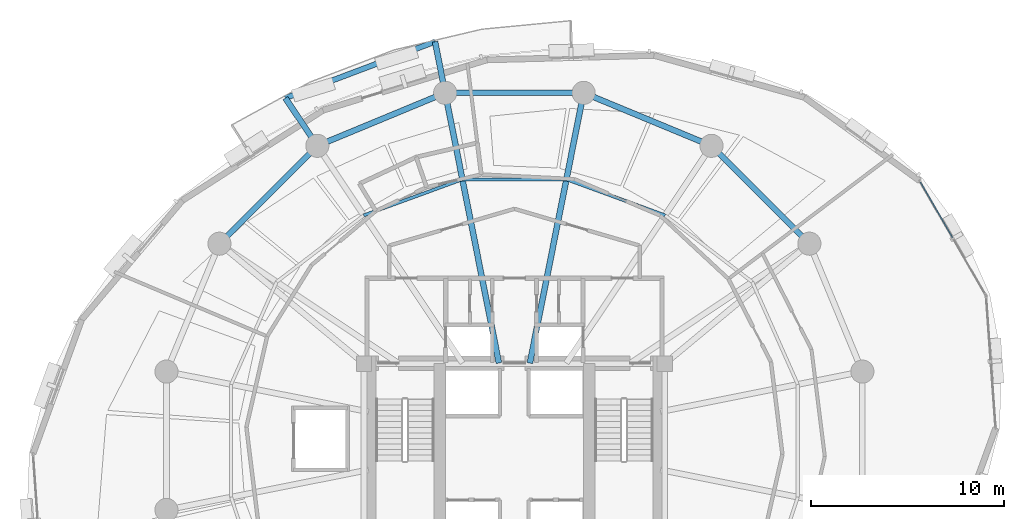
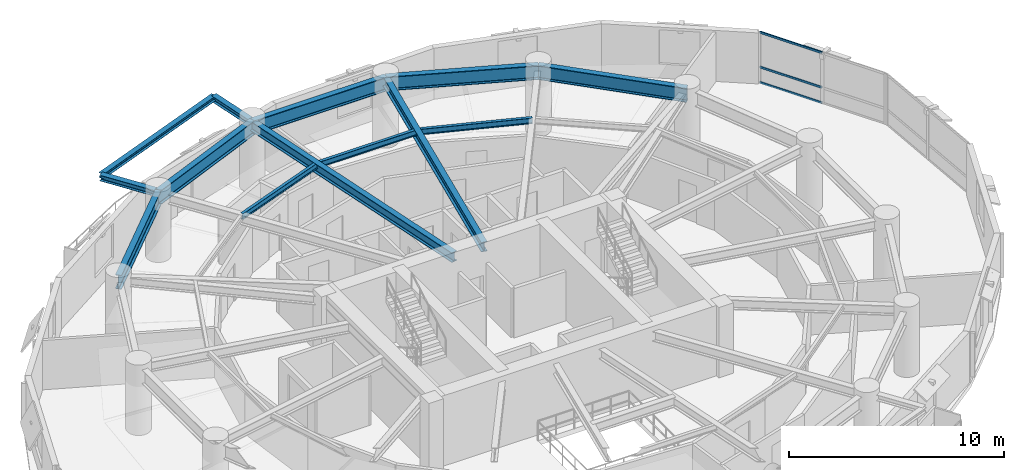
# One storey, part 7 of 15: 13 beams, 3 members, 1 element without a shape of its own.
"""IFC4 building model written with IfcOpenShell, lengths in metres."""

from ifc_helpers import new_model, si_unit, direction, frame, origin, origin_2d, place, context, subcontext, project, spatial, hollow_rectangle, i_section, extrude, material, layer, layer_set, material_profile, profile_set, type_object, element, aggregate, save


model = new_model("IFC4")

# Units and contexts
model_context = context("Model", 3, precision=1e-05, world=origin(), true_north=direction((0.0, 1.0)))
body_context = subcontext(model_context, "Body", "Model", "MODEL_VIEW")
ifc_project = project(units=[si_unit("LENGTHUNIT", "METRE"), si_unit("AREAUNIT", "SQUARE_METRE"), si_unit("VOLUMEUNIT", "CUBIC_METRE"), si_unit("PLANEANGLEUNIT", "RADIAN"), si_unit("MASSUNIT", "GRAM", prefix="KILO"), si_unit("THERMODYNAMICTEMPERATUREUNIT", "KELVIN"), si_unit("POWERUNIT", "WATT")], contexts=[model_context])

# Site, building, storey
site_placement = place(None, origin())
site = spatial("IfcSite", under=ifc_project, at=site_placement, CompositionType="ELEMENT")
building_placement = place(site_placement, origin())
building = spatial("IfcBuilding", under=site, at=building_placement, Name="Ocrelia Relay Tower", CompositionType="ELEMENT")
storey_placement = place(building_placement, frame((0.0, 0.0, 105.800048828125)))
storey = spatial("IfcBuildingStorey", under=building, at=storey_placement, Name="L24", CompositionType="ELEMENT", Elevation=105.800048828125)

# Beams
ifc_material_1 = material(Name="Steel S355", Category="steel")
ifc_material_profile_1 = material_profile(ifc_material_1, i_section(OverallWidth=0.280029296875, OverallDepth=0.27001953125, WebThickness=0.008056640625, FlangeThickness=0.012939453125, FilletRadius=0.02392578125, at=origin_2d()), Name="HEA 280")
ifc_profile_set_1 = profile_set([ifc_material_profile_1], Name="Steel S355")
beam_type_1 = type_object("IfcBeamType", Name="BM-HEA280", PredefinedType="BEAM", material=ifc_profile_set_1)
beam_1_placement = place(storey_placement, frame((29.8828125, 46.6982421875, 3.5849609375), z_axis=(-0.935736159667, -0.352700778977, 0.0), x_axis=(0.352700778977, -0.935736159667, 0.0)))
element("IfcBeam", 1, at=beam_1_placement, inside=storey, type_object=beam_type_1, Name="L25 Balcony Edge Trimmer Beam B1", PredefinedType="BEAM", context=body_context, shape_type="SweptSolid", body=[
    extrude(i_section(OverallWidth=0.280029296875, OverallDepth=0.27001953125, WebThickness=0.008056640625, FlangeThickness=0.012939453125, FilletRadius=0.02392578125, at=origin_2d()), origin(), (0.0, 0.0, 1.0), 8.2919921875),
])
ifc_material_profile_2 = material_profile(ifc_material_1, i_section(OverallWidth=0.300048828125, OverallDepth=0.330078125, WebThickness=0.009521484375, FlangeThickness=0.0166015625, FilletRadius=0.027099609375, at=origin_2d()), Name="HEA 340")
ifc_profile_set_2 = profile_set([ifc_material_profile_2], Name="Steel S355")
beam_type_2 = type_object("IfcBeamType", Name="BM-HEA340", PredefinedType="BEAM", material=ifc_profile_set_2)
beam_2_placement = place(storey_placement, frame((30.410400390625, 44.04638671875, 3.554931640625), z_axis=(-0.195126269336, 0.980778129352, 0.0), x_axis=(-0.980778129352, -0.195126269336, 0.0)))
element("IfcBeam", 2, at=beam_2_placement, inside=storey, type_object=beam_type_2, Name="L25 Balcony Cantilever Beam B1-1", PredefinedType="BEAM", context=body_context, shape_type="SweptSolid", body=[
    extrude(i_section(OverallWidth=0.300048828125, OverallDepth=0.330078125, WebThickness=0.009521484375, FlangeThickness=0.0166015625, FilletRadius=0.027099609375, at=origin_2d()), origin(), (0.0, 0.0, 1.0), 2.703857421875),
])
beam_3_placement = place(storey_placement, frame((23.777587890625, 41.299072265625, 3.554931640625), z_axis=(-0.555646294904, 0.831418784344, 0.0), x_axis=(-0.831418784344, -0.555646294904, 0.0)))
element("IfcBeam", 3, at=beam_3_placement, inside=storey, type_object=beam_type_2, Name="L25 Balcony Cantilever Beam B1-2", PredefinedType="BEAM", context=body_context, shape_type="SweptSolid", body=[
    extrude(i_section(OverallWidth=0.300048828125, OverallDepth=0.330078125, WebThickness=0.009521484375, FlangeThickness=0.0166015625, FilletRadius=0.027099609375, at=origin_2d()), origin(), (0.0, 0.0, 1.0), 2.976318359375),
])
ifc_material_profile_3 = material_profile(ifc_material_1, i_section(OverallWidth=0.300048828125, OverallDepth=0.550048828125, WebThickness=0.014892578125, FlangeThickness=0.029052734375, FilletRadius=0.027099609375, at=origin_2d()), Name="HEB 550")
ifc_profile_set_3 = profile_set([ifc_material_profile_3], Name="Steel S355")
beam_type_3 = type_object("IfcBeamType", Name="BM-HEB550", PredefinedType="BEAM", material=ifc_profile_set_3)
for number, where, z_axis, x_axis, name in (
    (4, (37.589599609375, 44.04638671875, 3.445068359375), (-0.195094300142, -0.980784489096, 0.0), (0.980784489096, -0.195094300142, 0.0), "L24 Radial Floor Girder R04"),
    (5, (30.410400390625, 44.04638671875, 3.445068359375), (0.195094300142, -0.980784489096, 0.0), (0.980784489096, 0.195094300142, 0.0), "L24 Radial Floor Girder R05"),
):
    element("IfcBeam", number, at=place(storey_placement, frame(where, z_axis=z_axis, x_axis=x_axis)), inside=storey, type_object=beam_type_3, Name=name, PredefinedType="BEAM", context=body_context, shape_type="SweptSolid", body=[
        extrude(i_section(OverallWidth=0.300048828125, OverallDepth=0.550048828125, WebThickness=0.014892578125, FlangeThickness=0.029052734375, FilletRadius=0.027099609375, at=origin_2d()), origin(), (0.0, 0.0, 1.0), 14.291015625),
    ])
ifc_material_profile_4 = material_profile(ifc_material_1, i_section(OverallWidth=0.300048828125, OverallDepth=0.800048828125, WebThickness=0.017578125, FlangeThickness=0.032958984375, FilletRadius=0.030029296875, at=origin_2d()), Name="HEB 800")
ifc_profile_set_4 = profile_set([ifc_material_profile_4], Name="Steel S355")
beam_type_4 = type_object("IfcBeamType", Name="BM-HEB800", PredefinedType="BEAM", material=ifc_profile_set_4)
beam_4_placement = place(storey_placement, frame((49.299072265625, 36.222412109375, 3.320068359375), z_axis=(-0.707106781187, 0.707106781187, 0.0), x_axis=(-0.707106781187, -0.707106781187, 0.0)))
element("IfcBeam", 6, at=beam_4_placement, inside=storey, type_object=beam_type_4, Name="L24 Perimeter Spandrel Beam S02", PredefinedType="BEAM", context=body_context, shape_type="SweptSolid", body=[
    extrude(i_section(OverallWidth=0.300048828125, OverallDepth=0.800048828125, WebThickness=0.017578125, FlangeThickness=0.032958984375, FilletRadius=0.030029296875, at=origin_2d()), origin(), (0.0, 0.0, 1.0), 7.179443359375),
])
for number, where, z_axis, x_axis, name in (
    (7, (44.222412109375, 41.299072265625, 3.320068359375), (-0.923883789366, 0.382673155247, 0.0), (-0.382673155247, -0.923883789366, 0.0), "L24 Perimeter Spandrel Beam S03"),
    (8, (37.589599609375, 44.04638671875, 3.320068359375), (-1.0, 0.0, 0.0), (0.0, -1.0, 0.0), "L24 Perimeter Spandrel Beam S04"),
    (9, (30.410400390625, 44.04638671875, 3.320068359375), (-0.923883789366, -0.382673155247, 0.0), (0.382673155247, -0.923883789366, 0.0), "L24 Perimeter Spandrel Beam S05"),
):
    element("IfcBeam", number, at=place(storey_placement, frame(where, z_axis=z_axis, x_axis=x_axis)), inside=storey, type_object=beam_type_4, Name=name, PredefinedType="BEAM", context=body_context, shape_type="SweptSolid", body=[
        extrude(i_section(OverallWidth=0.300048828125, OverallDepth=0.800048828125, WebThickness=0.017578125, FlangeThickness=0.032958984375, FilletRadius=0.030029296875, at=origin_2d()), origin(), (0.0, 0.0, 1.0), 7.17919921875),
    ])
beam_5_placement = place(storey_placement, frame((23.777587890625, 41.299072265625, 3.320068359375), z_axis=(-0.707106781187, -0.707106781187, 0.0), x_axis=(0.707106781187, -0.707106781187, 0.0)))
element("IfcBeam", 10, at=beam_5_placement, inside=storey, type_object=beam_type_4, Name="L24 Perimeter Spandrel Beam S06", PredefinedType="BEAM", context=body_context, shape_type="SweptSolid", body=[
    extrude(i_section(OverallWidth=0.300048828125, OverallDepth=0.800048828125, WebThickness=0.017578125, FlangeThickness=0.032958984375, FilletRadius=0.030029296875, at=origin_2d()), origin(), (0.0, 0.0, 1.0), 7.179443359375),
])
ifc_material_profile_5 = material_profile(ifc_material_1, i_section(OverallWidth=0.159912109375, OverallDepth=0.330078125, WebThickness=0.007568359375, FlangeThickness=0.011474609375, FilletRadius=0.01806640625, at=origin_2d()), Name="IPE 330")
ifc_profile_set_5 = profile_set([ifc_material_profile_5], Name="Steel S355")
beam_type_5 = type_object("IfcBeamType", Name="BM-IPE330", PredefinedType="JOIST", material=ifc_profile_set_5)
beam_6_placement = place(storey_placement, frame((41.81298828125, 37.69287109375, 3.554931640625), z_axis=(-0.93930687927, 0.34307810562, 0.0), x_axis=(-0.34307810562, -0.93930687927, 0.0)))
element("IfcBeam", 11, at=beam_6_placement, inside=storey, type_object=beam_type_5, Name="L24 Secondary Floor Joist J03", PredefinedType="JOIST", context=body_context, shape_type="SweptSolid", body=[
    extrude(i_section(OverallWidth=0.159912109375, OverallDepth=0.330078125, WebThickness=0.007568359375, FlangeThickness=0.011474609375, FilletRadius=0.01806640625, at=origin_2d()), origin(), (0.0, 0.0, 1.0), 5.446044921875),
])
beam_7_placement = place(storey_placement, frame((36.697509765625, 39.561279296875, 3.554931640625), z_axis=(-1.0, 0.0, 0.0), x_axis=(0.0, -1.0, 0.0)))
element("IfcBeam", 12, at=beam_7_placement, inside=storey, type_object=beam_type_5, Name="L24 Secondary Floor Joist J04", PredefinedType="JOIST", context=body_context, shape_type="SweptSolid", body=[
    extrude(i_section(OverallWidth=0.159912109375, OverallDepth=0.330078125, WebThickness=0.007568359375, FlangeThickness=0.011474609375, FilletRadius=0.01806640625, at=origin_2d()), origin(), (0.0, 0.0, 1.0), 5.39501953125),
])
beam_8_placement = place(storey_placement, frame((31.302490234375, 39.561279296875, 3.554931640625), z_axis=(-0.93930687927, -0.34307810562, 0.0), x_axis=(0.34307810562, -0.93930687927, 0.0)))
element("IfcBeam", 13, at=beam_8_placement, inside=storey, type_object=beam_type_5, Name="L24 Secondary Floor Joist J05", PredefinedType="JOIST", context=body_context, shape_type="SweptSolid", body=[
    extrude(i_section(OverallWidth=0.159912109375, OverallDepth=0.330078125, WebThickness=0.007568359375, FlangeThickness=0.011474609375, FilletRadius=0.01806640625, at=origin_2d()), origin(), (0.0, 0.0, 1.0), 5.446044921875),
])

# Curtain wall, members
ifc_material_2 = material(Name="Aluminium and solar-control low-E glass", Category="aluminium")
ifc_layer = layer(ifc_material_2, 0.179931640625, Name="Aluminium and solar-control low-E glass")
ifc_layer_set = layer_set([ifc_layer], Name="Aluminium and solar-control low-E glass")
curtain_wall_type = type_object("IfcCurtainWallType", Name="CW-SYS-Z2-SWIT", PredefinedType="NOTDEFINED", material=ifc_layer_set)
curtain_wall_placement = place(storey_placement, origin())
curtain_wall = element("IfcCurtainWall", 14, at=curtain_wall_placement, inside=storey, type_object=curtain_wall_type, Name="L24 Elliptical Tower Curtain Wall Bay 01", PredefinedType="NOTDEFINED")
ifc_material_3 = material(Name="Anodised bronze aluminium", Category="aluminium")
ifc_material_profile_6 = material_profile(ifc_material_3, hollow_rectangle(XDim=0.06005859375, YDim=0.1201171875, WallThickness=0.0048828125, at=origin_2d()), Name="CW-TRN-120x60")
ifc_profile_set_6 = profile_set([ifc_material_profile_6], Name="Anodised bronze aluminium")
member_type = type_object("IfcMemberType", Name="CW-SYS-Z2-SWIT-TRN", PredefinedType="USERDEFINED", material=ifc_profile_set_6)
member_1_placement = place(storey_placement, frame((56.727294921875, 36.534423828125, 0.030029296875), z_axis=(-0.501027612011, 0.865431298257, 0.0), x_axis=(-0.865431298257, -0.501027612011, 0.0)))
member_1 = element("IfcMember", 15, at=member_1_placement, type_object=member_type, Name="CW-Z2 transom 2.1", ObjectType="TRANSOM", PredefinedType="USERDEFINED", context=body_context, shape_type="SweptSolid", body=[
    extrude(hollow_rectangle(XDim=0.06005859375, YDim=0.1201171875, WallThickness=0.0048828125, at=origin_2d()), origin(), (0.0, 0.0, 1.0), 3.33447265625),
])
member_2_placement = place(storey_placement, frame((56.727294921875, 36.534423828125, 0.89990234375), z_axis=(-0.501027612011, 0.865431298257, 0.0), x_axis=(-0.865431298257, -0.501027612011, 0.0)))
member_2 = element("IfcMember", 16, at=member_2_placement, type_object=member_type, Name="CW-Z2 transom 2.2", ObjectType="TRANSOM", PredefinedType="USERDEFINED", context=body_context, shape_type="SweptSolid", body=[
    extrude(hollow_rectangle(XDim=0.06005859375, YDim=0.1201171875, WallThickness=0.0048828125, at=origin_2d()), origin(), (0.0, 0.0, 1.0), 3.33447265625),
])
member_3_placement = place(storey_placement, frame((56.727294921875, 36.534423828125, 2.869873046875), z_axis=(-0.501027612011, 0.865431298257, 0.0), x_axis=(-0.865431298257, -0.501027612011, 0.0)))
member_3 = element("IfcMember", 17, at=member_3_placement, type_object=member_type, Name="CW-Z2 transom 2.3", ObjectType="TRANSOM", PredefinedType="USERDEFINED", context=body_context, shape_type="SweptSolid", body=[
    extrude(hollow_rectangle(XDim=0.06005859375, YDim=0.1201171875, WallThickness=0.0048828125, at=origin_2d()), origin(), (0.0, 0.0, 1.0), 3.33447265625),
])
aggregate(curtain_wall, [member_1, member_2, member_3])

save(model, "model.ifc")
